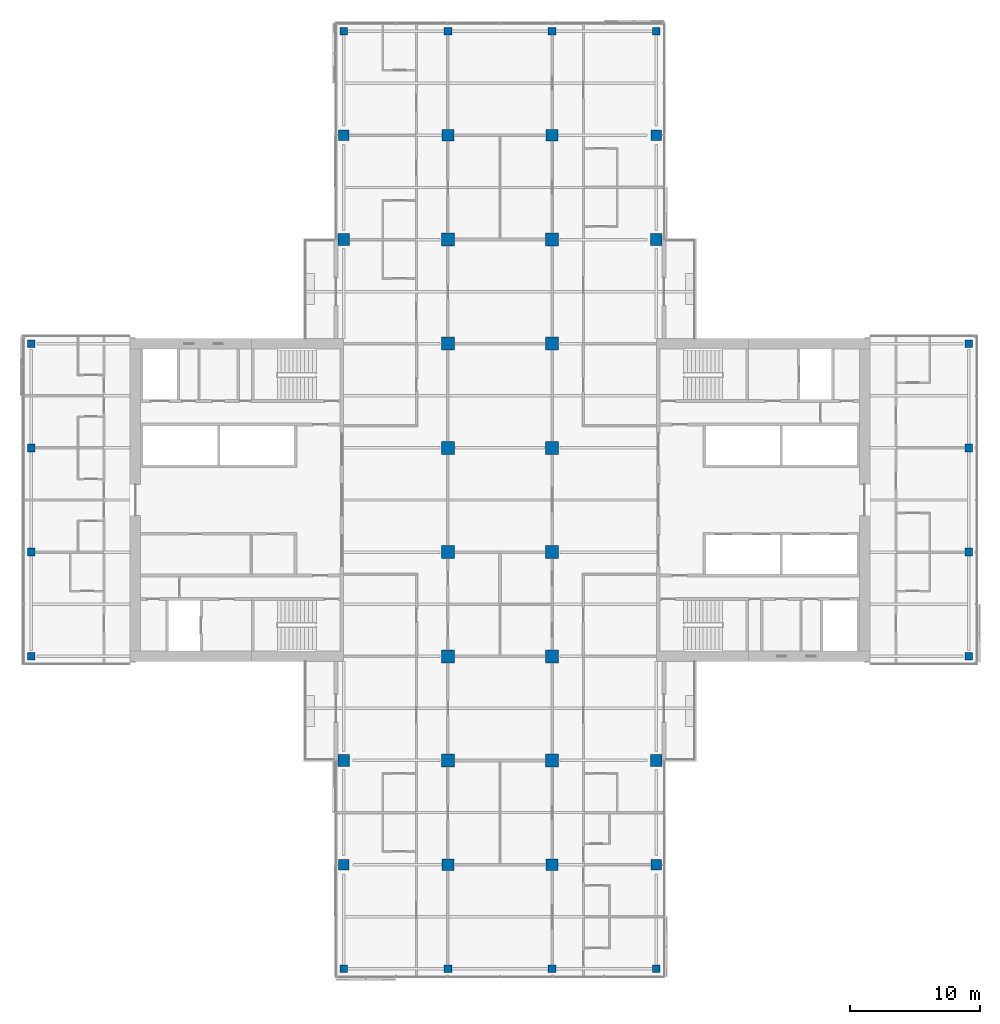
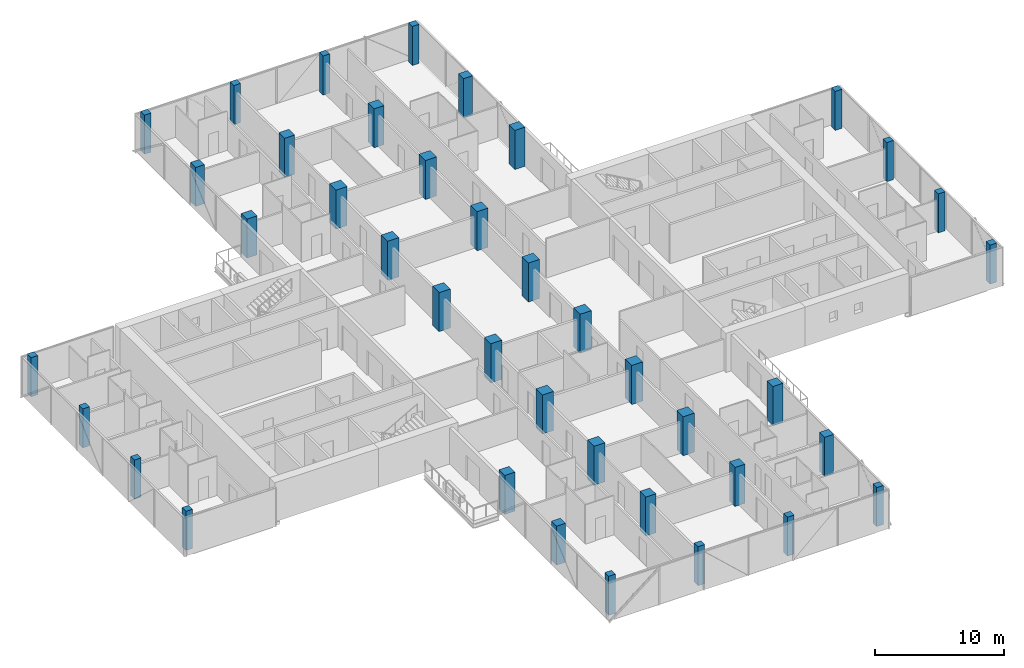
# One storey, part 1 of 25: 40 columns.
"""IFC4 building model written with IfcOpenShell, lengths in metres."""

from ifc_helpers import new_model, si_unit, direction, frame, origin, origin_2d, place, context, subcontext, project, spatial, rectangle, extrude, material, material_profile, profile_set, type_object, element, save


model = new_model("IFC4")

# Units and contexts
model_context = context("Model", 3, precision=1e-05, world=origin(), true_north=direction((0.0, 1.0)))
body_context = subcontext(model_context, "Body", "Model", "MODEL_VIEW")
ifc_project = project(units=[si_unit("LENGTHUNIT", "METRE"), si_unit("AREAUNIT", "SQUARE_METRE"), si_unit("VOLUMEUNIT", "CUBIC_METRE"), si_unit("PLANEANGLEUNIT", "RADIAN"), si_unit("MASSUNIT", "GRAM", prefix="KILO")], contexts=[model_context])

# Site, building, storey
site_placement = place(None, origin())
site = spatial("IfcSite", under=ifc_project, at=site_placement, CompositionType="ELEMENT")
building_placement = place(site_placement, origin())
building = spatial("IfcBuilding", under=site, at=building_placement, Name="Crosswind Convention Tower", CompositionType="ELEMENT")
storey_placement = place(building_placement, frame((0.0, 0.0, 97.89990234375)))
storey = spatial("IfcBuildingStorey", under=building, at=storey_placement, Name="L19", CompositionType="ELEMENT", Elevation=97.89990234375)

# Columns
ifc_material_1 = material(Name="Concrete C70/85", Category="concrete")
ifc_material_profile_1 = material_profile(ifc_material_1, rectangle(XDim=1.0, YDim=1.0, at=origin_2d()), Name="RC 1000X1000")
ifc_profile_set_1 = profile_set([ifc_material_profile_1], Name="Concrete C70/85")
column_type_1 = type_object("IfcColumnType", Name="Column RC 1000X1000", PredefinedType="COLUMN", material=ifc_profile_set_1)
for number, where, z_axis, x_axis, name in (
    (1, (121.0, 80.0, 0.0), (0.0, 0.0, 1.0), (1.0, 0.0, 0.0), "C12 L19 6/D"),
    (2, (121.0, 88.0, 0.0), (0.0, 0.0, 1.0), (1.0, 0.0, 0.0), "C12 L19 6/E"),
    (3, (121.0, 96.0, 0.0), (0.0, 0.0, 1.0), (1.0, 0.0, 0.0), "C12 L19 6/F"),
    (4, (121.0, 104.0, 0.0), (0.0, 0.0, 1.0), (1.0, 0.0, 0.0), "C12 L19 6/G"),
    (5, (121.0, 112.0, 0.0), (0.0, 0.0, 1.0), (1.0, 0.0, 0.0), "C12 L19 6/H"),
    (6, (121.0, 120.0, 0.0), (0.0, 0.0, 1.0), (1.0, 0.0, 0.0), "C12 L19 6/I"),
    (7, (129.0, 80.0, 0.0), (0.0, 0.0, 1.0), (1.0, 0.0, 0.0), "C12 L19 7/D"),
    (8, (129.0, 88.0, 0.0), (0.0, 0.0, 1.0), (1.0, 0.0, 0.0), "C12 L19 7/E"),
    (9, (129.0, 96.0, 0.0), (0.0, 0.0, 1.0), (1.0, 0.0, 0.0), "C12 L19 7/F"),
    (10, (129.0, 104.0, 0.0), (0.0, 0.0, 1.0), (1.0, 0.0, 0.0), "C12 L19 7/G"),
    (11, (129.0, 112.0, 0.0), (0.0, 0.0, 1.0), (1.0, 0.0, 0.0), "C12 L19 7/H"),
    (12, (129.0, 120.0, 0.0), (0.0, 0.0, 1.0), (1.0, 0.0, 0.0), "C12 L19 7/I"),
):
    element("IfcColumn", number, at=place(storey_placement, frame(where, z_axis=z_axis, x_axis=x_axis)), inside=storey, type_object=column_type_1, Name=name, PredefinedType="COLUMN", context=body_context, shape_type="SweptSolid", body=[
        extrude(rectangle(XDim=1.0, YDim=1.0, at=origin_2d()), origin(), (0.0, 0.0, 1.0), 3.7001953125),
    ])
ifc_material_2 = material(Name="Concrete C60/75", Category="concrete")
ifc_material_profile_2 = material_profile(ifc_material_2, rectangle(XDim=0.60009765625, YDim=0.60009765625, at=origin_2d()), Name="RC 600X600")
ifc_profile_set_2 = profile_set([ifc_material_profile_2], Name="Concrete C60/75")
column_type_2 = type_object("IfcColumnType", Name="Column RC 600X600", PredefinedType="COLUMN", material=ifc_profile_set_2)
for number, where, z_axis, x_axis, name in (
    (13, (89.0, 88.0, 0.0), (0.0, 0.0, 1.0), (1.0, 0.0, 0.0), "C16 L19 2/E"),
    (14, (89.0, 96.0, 0.0), (0.0, 0.0, 1.0), (1.0, 0.0, 0.0), "C16 L19 2/F"),
    (15, (89.0, 104.0, 0.0), (0.0, 0.0, 1.0), (1.0, 0.0, 0.0), "C16 L19 2/G"),
    (16, (89.0, 112.0, 0.0), (0.0, 0.0, 1.0), (1.0, 0.0, 0.0), "C16 L19 2/H"),
    (17, (113.0, 64.0, 0.0), (0.0, 0.0, 1.0), (1.0, 0.0, 0.0), "C16 L19 5/B"),
    (18, (113.0, 136.0, 0.0), (0.0, 0.0, 1.0), (1.0, 0.0, 0.0), "C16 L19 5/K"),
    (19, (121.0, 64.0, 0.0), (0.0, 0.0, 1.0), (1.0, 0.0, 0.0), "C16 L19 6/B"),
    (20, (121.0, 136.0, 0.0), (0.0, 0.0, 1.0), (1.0, 0.0, 0.0), "C16 L19 6/K"),
    (21, (129.0, 64.0, 0.0), (0.0, 0.0, 1.0), (1.0, 0.0, 0.0), "C16 L19 7/B"),
    (22, (129.0, 136.0, 0.0), (0.0, 0.0, 1.0), (1.0, 0.0, 0.0), "C16 L19 7/K"),
    (23, (137.0, 64.0, 0.0), (0.0, 0.0, 1.0), (1.0, 0.0, 0.0), "C16 L19 8/B"),
    (24, (137.0, 136.0, 0.0), (0.0, 0.0, 1.0), (1.0, 0.0, 0.0), "C16 L19 8/K"),
    (25, (161.0, 88.0, 0.0), (0.0, 0.0, 1.0), (1.0, 0.0, 0.0), "C16 L19 11/E"),
    (26, (161.0, 96.0, 0.0), (0.0, 0.0, 1.0), (1.0, 0.0, 0.0), "C16 L19 11/F"),
    (27, (161.0, 104.0, 0.0), (0.0, 0.0, 1.0), (1.0, 0.0, 0.0), "C16 L19 11/G"),
    (28, (161.0, 112.0, 0.0), (0.0, 0.0, 1.0), (1.0, 0.0, 0.0), "C16 L19 11/H"),
):
    element("IfcColumn", number, at=place(storey_placement, frame(where, z_axis=z_axis, x_axis=x_axis)), inside=storey, type_object=column_type_2, Name=name, PredefinedType="COLUMN", context=body_context, shape_type="SweptSolid", body=[
        extrude(rectangle(XDim=0.60009765625, YDim=0.60009765625, at=origin_2d()), origin(), (0.0, 0.0, 1.0), 3.7001953125),
    ])
ifc_material_profile_3 = material_profile(ifc_material_2, rectangle(XDim=0.800048828125, YDim=0.800048828125, at=origin_2d()), Name="RC 800X800")
ifc_profile_set_3 = profile_set([ifc_material_profile_3], Name="Concrete C60/75")
column_type_3 = type_object("IfcColumnType", Name="Column RC 800X800", PredefinedType="COLUMN", material=ifc_profile_set_3)
for number, where, z_axis, x_axis, name in (
    (29, (113.0, 72.0, 0.0), (0.0, 0.0, 1.0), (1.0, 0.0, 0.0), "C14 L19 5/C"),
    (30, (113.0, 128.0, 0.0), (0.0, 0.0, 1.0), (1.0, 0.0, 0.0), "C14 L19 5/J"),
    (31, (137.0, 72.0, 0.0), (0.0, 0.0, 1.0), (1.0, 0.0, 0.0), "C14 L19 8/C"),
    (32, (137.0, 128.0, 0.0), (0.0, 0.0, 1.0), (1.0, 0.0, 0.0), "C14 L19 8/J"),
):
    element("IfcColumn", number, at=place(storey_placement, frame(where, z_axis=z_axis, x_axis=x_axis)), inside=storey, type_object=column_type_3, Name=name, PredefinedType="COLUMN", context=body_context, shape_type="SweptSolid", body=[
        extrude(rectangle(XDim=0.800048828125, YDim=0.800048828125, at=origin_2d()), origin(), (0.0, 0.0, 1.0), 3.7001953125),
    ])
ifc_material_profile_4 = material_profile(ifc_material_2, rectangle(XDim=0.89990234375, YDim=0.89990234375, at=origin_2d()), Name="RC 900X900")
ifc_profile_set_4 = profile_set([ifc_material_profile_4], Name="Concrete C60/75")
column_type_4 = type_object("IfcColumnType", Name="Column RC 900X900", PredefinedType="COLUMN", material=ifc_profile_set_4)
for number, where, z_axis, x_axis, name in (
    (33, (113.0, 80.0, 0.0), (0.0, 0.0, 1.0), (1.0, 0.0, 0.0), "C13 L19 5/D"),
    (34, (113.0, 120.0, 0.0), (0.0, 0.0, 1.0), (1.0, 0.0, 0.0), "C13 L19 5/I"),
    (35, (121.0, 72.0, 0.0), (0.0, 0.0, 1.0), (1.0, 0.0, 0.0), "C13 L19 6/C"),
    (36, (121.0, 128.0, 0.0), (0.0, 0.0, 1.0), (1.0, 0.0, 0.0), "C13 L19 6/J"),
    (37, (129.0, 72.0, 0.0), (0.0, 0.0, 1.0), (1.0, 0.0, 0.0), "C13 L19 7/C"),
    (38, (129.0, 128.0, 0.0), (0.0, 0.0, 1.0), (1.0, 0.0, 0.0), "C13 L19 7/J"),
    (39, (137.0, 80.0, 0.0), (0.0, 0.0, 1.0), (1.0, 0.0, 0.0), "C13 L19 8/D"),
    (40, (137.0, 120.0, 0.0), (0.0, 0.0, 1.0), (1.0, 0.0, 0.0), "C13 L19 8/I"),
):
    element("IfcColumn", number, at=place(storey_placement, frame(where, z_axis=z_axis, x_axis=x_axis)), inside=storey, type_object=column_type_4, Name=name, PredefinedType="COLUMN", context=body_context, shape_type="SweptSolid", body=[
        extrude(rectangle(XDim=0.89990234375, YDim=0.89990234375, at=origin_2d()), origin(), (0.0, 0.0, 1.0), 3.7001953125),
    ])

save(model, "model.ifc")
